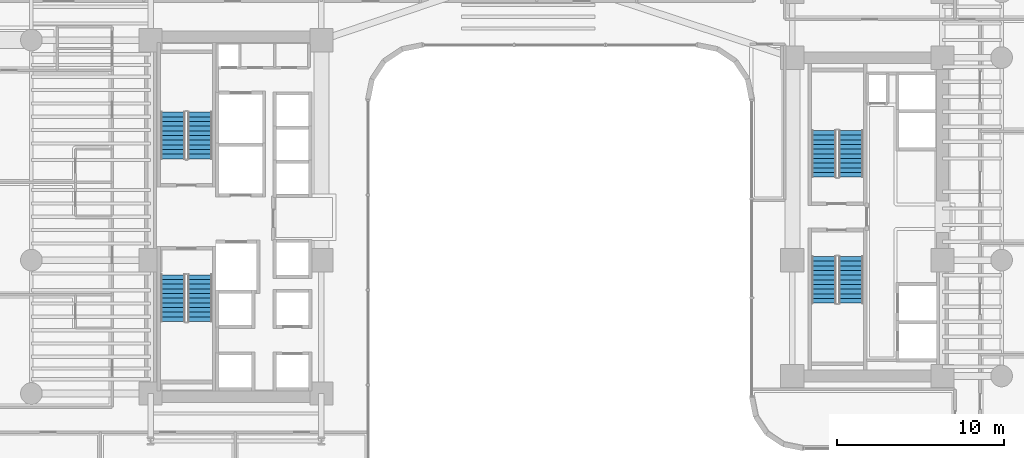
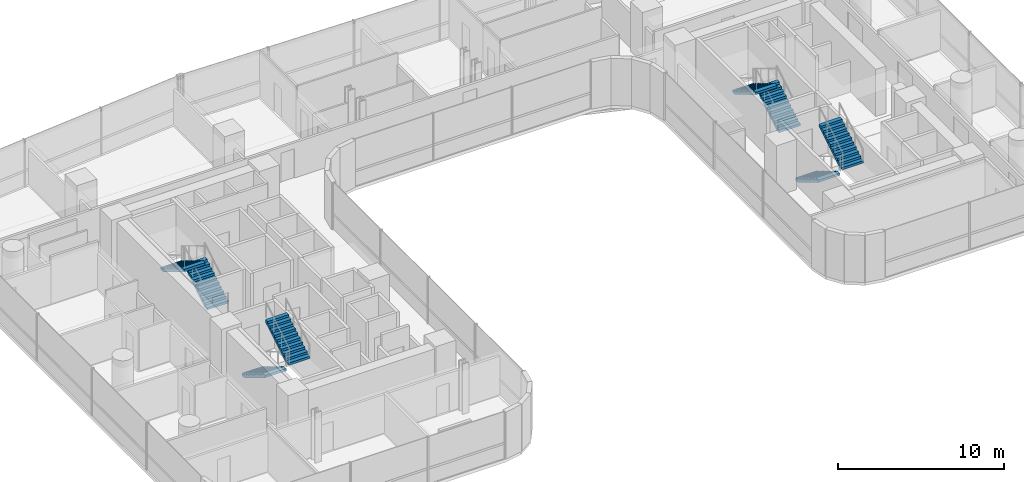
# One storey, part 36 of 41: 8 stair flights, 4 elements without a shape of their own.
"""IFC4 building model written with IfcOpenShell, lengths in metres."""

import ifcopenshell
import ifcopenshell.guid

model = None  # the IFC model being written
_history = None  # IfcOwnerHistory: only IFC2X3 demands one
_inside = {}  # id of a spatial element -> (the spatial element, [elements in it])
_under = {}  # id of a project, library or spatial element -> (it, [spatial elements below it])
_declared = {}  # id of a project -> (the project, [libraries it declares])
_typed = {}  # id of a type object -> (the type object, [elements of that type])
_made_of = {}  # id of a material, layer set ... -> (it, [elements and type objects made of it])


def new_model(schema):
    """Start an empty IFC model of exactly this schema.

    Asked for "IFC4X3", IfcOpenShell would pick the latest addendum, in which some entities
    have other attributes; the version numbers below select the first issue.
    IFC2X3 requires an IfcOwnerHistory on every rooted entity: one is made here for all.
    """
    global model, _history
    if schema == "IFC4X3":
        model = ifcopenshell.file(schema_version=(4, 3, 0, 0))
    else:
        model = ifcopenshell.file(schema=schema)
    _inside.clear()
    _under.clear()
    _declared.clear()
    _typed.clear()
    _made_of.clear()
    _history = None
    if model.schema == "IFC2X3":
        org = make("IfcOrganization", Name="unknown")
        user = make(
            "IfcPersonAndOrganization",
            ThePerson=make("IfcPerson", FamilyName="unknown"),
            TheOrganization=org,
        )
        app = make(
            "IfcApplication",
            ApplicationDeveloper=org,
            Version="unknown",
            ApplicationFullName="unknown",
            ApplicationIdentifier="unknown",
        )
        _history = make(
            "IfcOwnerHistory",
            OwningUser=user,
            OwningApplication=app,
            ChangeAction="ADDED",
            CreationDate=0,
        )
    return model


def make(cls, **values):
    """One entity of the class cls with the attributes given. An attribute that is None is left unset."""
    return model.create_entity(
        cls, **{name: value for name, value in values.items() if value is not None}
    )


def rooted(cls, **values):
    """An entity with a GlobalId (a new one), such as an element, a storey or a relation."""
    return make(cls, GlobalId=ifcopenshell.guid.new(), OwnerHistory=_history, **values)


def si_unit(unit_type, name, prefix=None):
    """IfcSIUnit, for example si_unit("LENGTHUNIT", "METRE", prefix="MILLI")."""
    return make("IfcSIUnit", UnitType=unit_type, Prefix=prefix, Name=name)


def assignment(units):
    """IfcUnitAssignment: the units of a project."""
    return None if units is None else make("IfcUnitAssignment", Units=units)


def point(xyz):
    """IfcCartesianPoint."""
    return None if xyz is None else make("IfcCartesianPoint", Coordinates=xyz)


def direction(xyz):
    """IfcDirection."""
    return None if xyz is None else make("IfcDirection", DirectionRatios=xyz)


def frame(location, z_axis=None, x_axis=None):
    """IfcAxis2Placement3D, a coordinate frame: its origin and axes. An axis left out is left unset."""
    return make(
        "IfcAxis2Placement3D",
        Location=point(location),
        Axis=direction(z_axis),
        RefDirection=direction(x_axis),
    )


def origin():
    """The frame at (0, 0, 0) with its axes left unset."""
    return frame((0.0, 0.0, 0.0))


def place(relative_to, where):
    """IfcLocalPlacement: puts the frame where relative to a parent placement (None: the world)."""
    return make(
        "IfcLocalPlacement", PlacementRelTo=relative_to, RelativePlacement=where
    )


def context(
    kind, dimensions, precision=None, world=None, true_north=None, identifier=None
):
    """IfcGeometricRepresentationContext, for example the 3D "Model" context."""
    return make(
        "IfcGeometricRepresentationContext",
        ContextIdentifier=identifier,
        ContextType=kind,
        CoordinateSpaceDimension=dimensions,
        Precision=precision,
        WorldCoordinateSystem=world,
        TrueNorth=true_north,
    )


def subcontext(parent, identifier, kind, view, scale=None):
    """IfcGeometricRepresentationSubContext, for example "Body" below "Model"."""
    return make(
        "IfcGeometricRepresentationSubContext",
        ContextIdentifier=identifier,
        ContextType=kind,
        ParentContext=parent,
        TargetScale=scale,
        TargetView=view,
    )


def project(units=None, contexts=None):
    """IfcProject with its units and contexts."""
    return rooted(
        "IfcProject",
        Name="project",
        RepresentationContexts=contexts,
        UnitsInContext=assignment(units),
    )


def spatial(cls, under=None, at=None, **own):
    """A site, building, storey or space (cls), placed at a placement, below another one or the project."""
    s = rooted(cls, ObjectPlacement=at, **own)
    if under is not None:
        _under.setdefault(under.id(), (under, []))[1].append(s)
    return s


def polyline(points):
    """IfcPolyline through the points."""
    return make("IfcPolyline", Points=[point(p) for p in points])


def outline(outer, holes=None, kind="AREA"):
    """IfcArbitraryClosedProfileDef: a profile drawn as a closed curve; with holes, ...WithVoids."""
    if holes is None:
        return make("IfcArbitraryClosedProfileDef", ProfileType=kind, OuterCurve=outer)
    return make(
        "IfcArbitraryProfileDefWithVoids",
        ProfileType=kind,
        OuterCurve=outer,
        InnerCurves=holes,
    )


def extrude(swept, where, along, depth):
    """IfcExtrudedAreaSolid: the profile swept, set in the frame where, extruded along a direction by depth."""
    return make(
        "IfcExtrudedAreaSolid",
        SweptArea=swept,
        Position=where,
        ExtrudedDirection=direction(along),
        Depth=depth,
    )


def shape(context_of_items, identifier, shape_type, items):
    """IfcShapeRepresentation: the items that make up one representation, for example the "Body"."""
    return make(
        "IfcShapeRepresentation",
        ContextOfItems=context_of_items,
        RepresentationIdentifier=identifier,
        RepresentationType=shape_type,
        Items=items,
    )


def material(Name=None, Category=None):
    """IfcMaterial."""
    return make("IfcMaterial", Name=Name, Category=Category)


def made_of(thing, what):
    """Note that an element or type object is made of a material, layer set ...; save() writes the relation."""
    if what is not None:
        _made_of.setdefault(what.id(), (what, []))[1].append(thing)
    return thing


def type_object(cls, material=None, **own):
    """A type object (cls), such as IfcWallType, which elements share."""
    return made_of(rooted(cls, **own), material)


def element(
    cls,
    number,
    at=None,
    inside=None,
    cuts=None,
    type_object=None,
    material=None,
    context=None,
    identifier="Body",
    shape_type=None,
    held_by="IfcProductDefinitionShape",
    body=None,
    shapes=None,
    **own,
):
    """One element of the class cls, such as IfcWall. Its Tag is "e" and its number.

    at: its placement. inside: the storey or other place that contains it. cuts: it is an
    opening in that element (IfcRelVoidsElement). A single representation is given by context,
    identifier, shape_type and body (its items); several are given by shapes. held_by: the class
    of the entity that holds the representations. save() writes the other relations.
    """
    e = rooted(cls, Tag="e%d" % number, ObjectPlacement=at, **own)
    if body is not None:
        shapes = [shape(context, identifier, shape_type, body)]
    if shapes is not None:
        e.Representation = make(held_by, Representations=shapes)
    if inside is not None:
        _inside.setdefault(inside.id(), (inside, []))[1].append(e)
    if cuts is not None:
        rooted(
            "IfcRelVoidsElement", RelatingBuildingElement=cuts, RelatedOpeningElement=e
        )
    if type_object is not None:
        _typed.setdefault(type_object.id(), (type_object, []))[1].append(e)
    return made_of(e, material)


def aggregate(whole, parts):
    """IfcRelAggregates: a whole, such as a stair, and the parts it consists of."""
    return rooted("IfcRelAggregates", RelatingObject=whole, RelatedObjects=parts)


def save(model, path):
    """Write the relations noted so far, then the file.

    IfcRelAggregates (storeys below a building ...), IfcRelContainedInSpatialStructure (elements
    in a storey), IfcRelDefinesByType, IfcRelAssociatesMaterial and IfcRelDeclares: one each for
    every whole, place, type object, material and project.
    """
    for whole, parts in _under.values():
        aggregate(whole, parts)
    for where, things in _inside.values():
        rooted(
            "IfcRelContainedInSpatialStructure",
            RelatedElements=things,
            RelatingStructure=where,
        )
    for kind, things in _typed.values():
        rooted("IfcRelDefinesByType", RelatedObjects=things, RelatingType=kind)
    for what, things in _made_of.values():
        rooted("IfcRelAssociatesMaterial", RelatedObjects=things, RelatingMaterial=what)
    for by, libraries in _declared.values():
        rooted("IfcRelDeclares", RelatingContext=by, RelatedDefinitions=libraries)
    model.write(path)


model = new_model("IFC4")

# Units and contexts
model_context = context("Model", 3, precision=1e-05, world=origin(), true_north=direction((0.0, 1.0)))
body_context = subcontext(model_context, "Body", "Model", "MODEL_VIEW")
ifc_project = project(units=[si_unit("LENGTHUNIT", "METRE"), si_unit("AREAUNIT", "SQUARE_METRE"), si_unit("VOLUMEUNIT", "CUBIC_METRE"), si_unit("PLANEANGLEUNIT", "RADIAN"), si_unit("MASSUNIT", "GRAM", prefix="KILO")], contexts=[model_context])

# Site, building, storey
site_placement = place(None, origin())
site = spatial("IfcSite", under=ifc_project, at=site_placement, CompositionType="ELEMENT")
building_placement = place(site_placement, origin())
building = spatial("IfcBuilding", under=site, at=building_placement, Name="Valdorenza Pilgrim Sanctuary Tower", CompositionType="ELEMENT")
storey_placement = place(building_placement, frame((0.0, 0.0, 85.199951171875)))
storey = spatial("IfcBuildingStorey", under=building, at=storey_placement, Name="L21", CompositionType="ELEMENT", Elevation=85.199951171875)

# Stair, stair flights
ifc_material = material(Name="Concrete C40/50", Category="concrete")
stair_type = type_object("IfcStairType", Name="STR-DOG-CORE", PredefinedType="HALF_TURN_STAIR", material=ifc_material)
stair_1_placement = place(storey_placement, origin())
stair_1 = element("IfcStair", 1, at=stair_1_placement, inside=storey, type_object=stair_type, Name="L21 ST-A1", PredefinedType="HALF_TURN_STAIR")
stair_flight_type = type_object("IfcStairFlightType", Name="STF-RC-1400", PredefinedType="STRAIGHT", material=ifc_material)
stair_flight_1_placement = place(storey_placement, frame((-19.679931640625, 3.47998046875, 0.0), z_axis=(0.0, 0.0, 1.0), x_axis=(0.0, 1.0, 0.0)))
stair_flight_1 = element("IfcStairFlight", 2, at=stair_flight_1_placement, type_object=stair_flight_type, Name="ST-A1 flight 1", NumberOfRisers=11, NumberOfTreads=10, PredefinedType="STRAIGHT", RiserHeight=0.168181818, TreadLength=0.28, context=body_context, shape_type="SweptSolid", body=[
    extrude(outline(polyline([(0.0, 0.0), (0.0, 0.168212890625), (0.280029296875, 0.168212890625), (0.280029296875, 0.33642578125), (0.56005859375, 0.33642578125), (0.56005859375, 0.504638671875), (0.840087890625, 0.504638671875), (0.840087890625, 0.672607421875), (1.1201171875, 0.672607421875), (1.1201171875, 0.8408203125), (1.39990234375, 0.8408203125), (1.39990234375, 1.009033203125), (1.679931640625, 1.009033203125), (1.679931640625, 1.17724609375), (1.9599609375, 1.17724609375), (1.9599609375, 1.345458984375), (2.239990234375, 1.345458984375), (2.239990234375, 1.513671875), (2.52001953125, 1.513671875), (2.52001953125, 1.681884765625), (2.800048828125, 1.681884765625), (2.800048828125, 1.85009765625), (2.800048828125, 1.5068359375), (0.291015625, 0.0), (0.0, 0.0)])), frame((0.0, 0.739990234375, 0.0), z_axis=(0.0, -1.0, 0.0), x_axis=(1.0, 0.0, 0.0)), (0.0, 0.0, 1.0), 1.47998046875),
])
stair_flight_2_placement = place(storey_placement, frame((-21.31005859375, 6.280029296875, 1.85009765625), z_axis=(0.0, 0.0, 1.0), x_axis=(0.0, -1.0, 0.0)))
stair_flight_2 = element("IfcStairFlight", 3, at=stair_flight_2_placement, type_object=stair_flight_type, Name="ST-A1 flight 2", NumberOfRisers=11, NumberOfTreads=10, PredefinedType="STRAIGHT", RiserHeight=0.168181818, TreadLength=0.28, context=body_context, shape_type="SweptSolid", body=[
    extrude(outline(polyline([(0.0, 0.0), (0.0, 0.168212890625), (0.280029296875, 0.168212890625), (0.280029296875, 0.33642578125), (0.56005859375, 0.33642578125), (0.56005859375, 0.504638671875), (0.840087890625, 0.504638671875), (0.840087890625, 0.672607421875), (1.1201171875, 0.672607421875), (1.1201171875, 0.8408203125), (1.39990234375, 0.8408203125), (1.39990234375, 1.009033203125), (1.679931640625, 1.009033203125), (1.679931640625, 1.17724609375), (1.9599609375, 1.17724609375), (1.9599609375, 1.345458984375), (2.239990234375, 1.345458984375), (2.239990234375, 1.513671875), (2.52001953125, 1.513671875), (2.52001953125, 1.681884765625), (2.800048828125, 1.681884765625), (2.800048828125, 1.85009765625), (2.800048828125, 1.5068359375), (0.291015625, 0.0), (0.0, 0.0)])), frame((0.0, 0.739990234375, 0.0), z_axis=(0.0, -1.0, 0.0), x_axis=(1.0, 0.0, 0.0)), (0.0, 0.0, 1.0), 1.47998046875),
])
aggregate(stair_1, [stair_flight_1, stair_flight_2])

stair_2_placement = place(storey_placement, origin())
stair_2 = element("IfcStair", 4, at=stair_2_placement, inside=storey, type_object=stair_type, Name="L21 ST-A2", PredefinedType="HALF_TURN_STAIR")
stair_flight_3_placement = place(storey_placement, frame((-21.31005859375, -3.47998046875, 0.0), z_axis=(0.0, 0.0, 1.0), x_axis=(0.0, -1.0, 0.0)))
stair_flight_3 = element("IfcStairFlight", 5, at=stair_flight_3_placement, type_object=stair_flight_type, Name="ST-A2 flight 1", NumberOfRisers=11, NumberOfTreads=10, PredefinedType="STRAIGHT", RiserHeight=0.168181818, TreadLength=0.28, context=body_context, shape_type="SweptSolid", body=[
    extrude(outline(polyline([(0.0, 0.0), (0.0, 0.168212890625), (0.280029296875, 0.168212890625), (0.280029296875, 0.33642578125), (0.56005859375, 0.33642578125), (0.56005859375, 0.504638671875), (0.840087890625, 0.504638671875), (0.840087890625, 0.672607421875), (1.1201171875, 0.672607421875), (1.1201171875, 0.8408203125), (1.39990234375, 0.8408203125), (1.39990234375, 1.009033203125), (1.679931640625, 1.009033203125), (1.679931640625, 1.17724609375), (1.9599609375, 1.17724609375), (1.9599609375, 1.345458984375), (2.239990234375, 1.345458984375), (2.239990234375, 1.513671875), (2.52001953125, 1.513671875), (2.52001953125, 1.681884765625), (2.800048828125, 1.681884765625), (2.800048828125, 1.85009765625), (2.800048828125, 1.5068359375), (0.291015625, 0.0), (0.0, 0.0)])), frame((0.0, 0.739990234375, 0.0), z_axis=(0.0, -1.0, 0.0), x_axis=(1.0, 0.0, 0.0)), (0.0, 0.0, 1.0), 1.47998046875),
])
stair_flight_4_placement = place(storey_placement, frame((-19.679931640625, -6.280029296875, 1.85009765625), z_axis=(0.0, 0.0, 1.0), x_axis=(0.0, 1.0, 0.0)))
stair_flight_4 = element("IfcStairFlight", 6, at=stair_flight_4_placement, type_object=stair_flight_type, Name="ST-A2 flight 2", NumberOfRisers=11, NumberOfTreads=10, PredefinedType="STRAIGHT", RiserHeight=0.168181818, TreadLength=0.28, context=body_context, shape_type="SweptSolid", body=[
    extrude(outline(polyline([(0.0, 0.0), (0.0, 0.168212890625), (0.280029296875, 0.168212890625), (0.280029296875, 0.33642578125), (0.56005859375, 0.33642578125), (0.56005859375, 0.504638671875), (0.840087890625, 0.504638671875), (0.840087890625, 0.672607421875), (1.1201171875, 0.672607421875), (1.1201171875, 0.8408203125), (1.39990234375, 0.8408203125), (1.39990234375, 1.009033203125), (1.679931640625, 1.009033203125), (1.679931640625, 1.17724609375), (1.9599609375, 1.17724609375), (1.9599609375, 1.345458984375), (2.239990234375, 1.345458984375), (2.239990234375, 1.513671875), (2.52001953125, 1.513671875), (2.52001953125, 1.681884765625), (2.800048828125, 1.681884765625), (2.800048828125, 1.85009765625), (2.800048828125, 1.5068359375), (0.291015625, 0.0), (0.0, 0.0)])), frame((0.0, 0.739990234375, 0.0), z_axis=(0.0, -1.0, 0.0), x_axis=(1.0, 0.0, 0.0)), (0.0, 0.0, 1.0), 1.47998046875),
])
aggregate(stair_2, [stair_flight_3, stair_flight_4])

stair_3_placement = place(storey_placement, origin())
stair_3 = element("IfcStair", 7, at=stair_3_placement, inside=storey, type_object=stair_type, Name="L21 ST-B1", PredefinedType="HALF_TURN_STAIR")
stair_flight_5_placement = place(storey_placement, frame((19.3701171875, 2.3798828125, 0.0), z_axis=(0.0, 0.0, 1.0), x_axis=(0.0, 1.0, 0.0)))
stair_flight_5 = element("IfcStairFlight", 8, at=stair_flight_5_placement, type_object=stair_flight_type, Name="ST-B1 flight 1", NumberOfRisers=11, NumberOfTreads=10, PredefinedType="STRAIGHT", RiserHeight=0.168181818, TreadLength=0.28, context=body_context, shape_type="SweptSolid", body=[
    extrude(outline(polyline([(0.0, 0.0), (0.0, 0.168212890625), (0.280029296875, 0.168212890625), (0.280029296875, 0.33642578125), (0.56005859375, 0.33642578125), (0.56005859375, 0.504638671875), (0.840087890625, 0.504638671875), (0.840087890625, 0.672607421875), (1.1201171875, 0.672607421875), (1.1201171875, 0.8408203125), (1.39990234375, 0.8408203125), (1.39990234375, 1.009033203125), (1.679931640625, 1.009033203125), (1.679931640625, 1.17724609375), (1.9599609375, 1.17724609375), (1.9599609375, 1.345458984375), (2.239990234375, 1.345458984375), (2.239990234375, 1.513671875), (2.52001953125, 1.513671875), (2.52001953125, 1.681884765625), (2.800048828125, 1.681884765625), (2.800048828125, 1.85009765625), (2.800048828125, 1.5068359375), (0.291015625, 0.0), (0.0, 0.0)])), frame((0.0, 0.739990234375, 0.0), z_axis=(0.0, -1.0, 0.0), x_axis=(1.0, 0.0, 0.0)), (0.0, 0.0, 1.0), 1.47998046875),
])
stair_flight_6_placement = place(storey_placement, frame((17.739990234375, 5.179931640625, 1.85009765625), z_axis=(0.0, 0.0, 1.0), x_axis=(0.0, -1.0, 0.0)))
stair_flight_6 = element("IfcStairFlight", 9, at=stair_flight_6_placement, type_object=stair_flight_type, Name="ST-B1 flight 2", NumberOfRisers=11, NumberOfTreads=10, PredefinedType="STRAIGHT", RiserHeight=0.168181818, TreadLength=0.28, context=body_context, shape_type="SweptSolid", body=[
    extrude(outline(polyline([(0.0, 0.0), (0.0, 0.168212890625), (0.280029296875, 0.168212890625), (0.280029296875, 0.33642578125), (0.56005859375, 0.33642578125), (0.56005859375, 0.504638671875), (0.840087890625, 0.504638671875), (0.840087890625, 0.672607421875), (1.1201171875, 0.672607421875), (1.1201171875, 0.8408203125), (1.39990234375, 0.8408203125), (1.39990234375, 1.009033203125), (1.679931640625, 1.009033203125), (1.679931640625, 1.17724609375), (1.9599609375, 1.17724609375), (1.9599609375, 1.345458984375), (2.239990234375, 1.345458984375), (2.239990234375, 1.513671875), (2.52001953125, 1.513671875), (2.52001953125, 1.681884765625), (2.800048828125, 1.681884765625), (2.800048828125, 1.85009765625), (2.800048828125, 1.5068359375), (0.291015625, 0.0), (0.0, 0.0)])), frame((0.0, 0.739990234375, 0.0), z_axis=(0.0, -1.0, 0.0), x_axis=(1.0, 0.0, 0.0)), (0.0, 0.0, 1.0), 1.47998046875),
])
aggregate(stair_3, [stair_flight_5, stair_flight_6])

stair_4_placement = place(storey_placement, origin())
stair_4 = element("IfcStair", 10, at=stair_4_placement, inside=storey, type_object=stair_type, Name="L21 ST-B2", PredefinedType="HALF_TURN_STAIR")
stair_flight_7_placement = place(storey_placement, frame((17.739990234375, -2.3798828125, 0.0), z_axis=(0.0, 0.0, 1.0), x_axis=(0.0, -1.0, 0.0)))
stair_flight_7 = element("IfcStairFlight", 11, at=stair_flight_7_placement, type_object=stair_flight_type, Name="ST-B2 flight 1", NumberOfRisers=11, NumberOfTreads=10, PredefinedType="STRAIGHT", RiserHeight=0.168181818, TreadLength=0.28, context=body_context, shape_type="SweptSolid", body=[
    extrude(outline(polyline([(0.0, 0.0), (0.0, 0.168212890625), (0.280029296875, 0.168212890625), (0.280029296875, 0.33642578125), (0.56005859375, 0.33642578125), (0.56005859375, 0.504638671875), (0.840087890625, 0.504638671875), (0.840087890625, 0.672607421875), (1.1201171875, 0.672607421875), (1.1201171875, 0.8408203125), (1.39990234375, 0.8408203125), (1.39990234375, 1.009033203125), (1.679931640625, 1.009033203125), (1.679931640625, 1.17724609375), (1.9599609375, 1.17724609375), (1.9599609375, 1.345458984375), (2.239990234375, 1.345458984375), (2.239990234375, 1.513671875), (2.52001953125, 1.513671875), (2.52001953125, 1.681884765625), (2.800048828125, 1.681884765625), (2.800048828125, 1.85009765625), (2.800048828125, 1.5068359375), (0.291015625, 0.0), (0.0, 0.0)])), frame((0.0, 0.739990234375, 0.0), z_axis=(0.0, -1.0, 0.0), x_axis=(1.0, 0.0, 0.0)), (0.0, 0.0, 1.0), 1.47998046875),
])
stair_flight_8_placement = place(storey_placement, frame((19.3701171875, -5.179931640625, 1.85009765625), z_axis=(0.0, 0.0, 1.0), x_axis=(0.0, 1.0, 0.0)))
stair_flight_8 = element("IfcStairFlight", 12, at=stair_flight_8_placement, type_object=stair_flight_type, Name="ST-B2 flight 2", NumberOfRisers=11, NumberOfTreads=10, PredefinedType="STRAIGHT", RiserHeight=0.168181818, TreadLength=0.28, context=body_context, shape_type="SweptSolid", body=[
    extrude(outline(polyline([(0.0, 0.0), (0.0, 0.168212890625), (0.280029296875, 0.168212890625), (0.280029296875, 0.33642578125), (0.56005859375, 0.33642578125), (0.56005859375, 0.504638671875), (0.840087890625, 0.504638671875), (0.840087890625, 0.672607421875), (1.1201171875, 0.672607421875), (1.1201171875, 0.8408203125), (1.39990234375, 0.8408203125), (1.39990234375, 1.009033203125), (1.679931640625, 1.009033203125), (1.679931640625, 1.17724609375), (1.9599609375, 1.17724609375), (1.9599609375, 1.345458984375), (2.239990234375, 1.345458984375), (2.239990234375, 1.513671875), (2.52001953125, 1.513671875), (2.52001953125, 1.681884765625), (2.800048828125, 1.681884765625), (2.800048828125, 1.85009765625), (2.800048828125, 1.5068359375), (0.291015625, 0.0), (0.0, 0.0)])), frame((0.0, 0.739990234375, 0.0), z_axis=(0.0, -1.0, 0.0), x_axis=(1.0, 0.0, 0.0)), (0.0, 0.0, 1.0), 1.47998046875),
])
aggregate(stair_4, [stair_flight_7, stair_flight_8])

save(model, "model.ifc")
